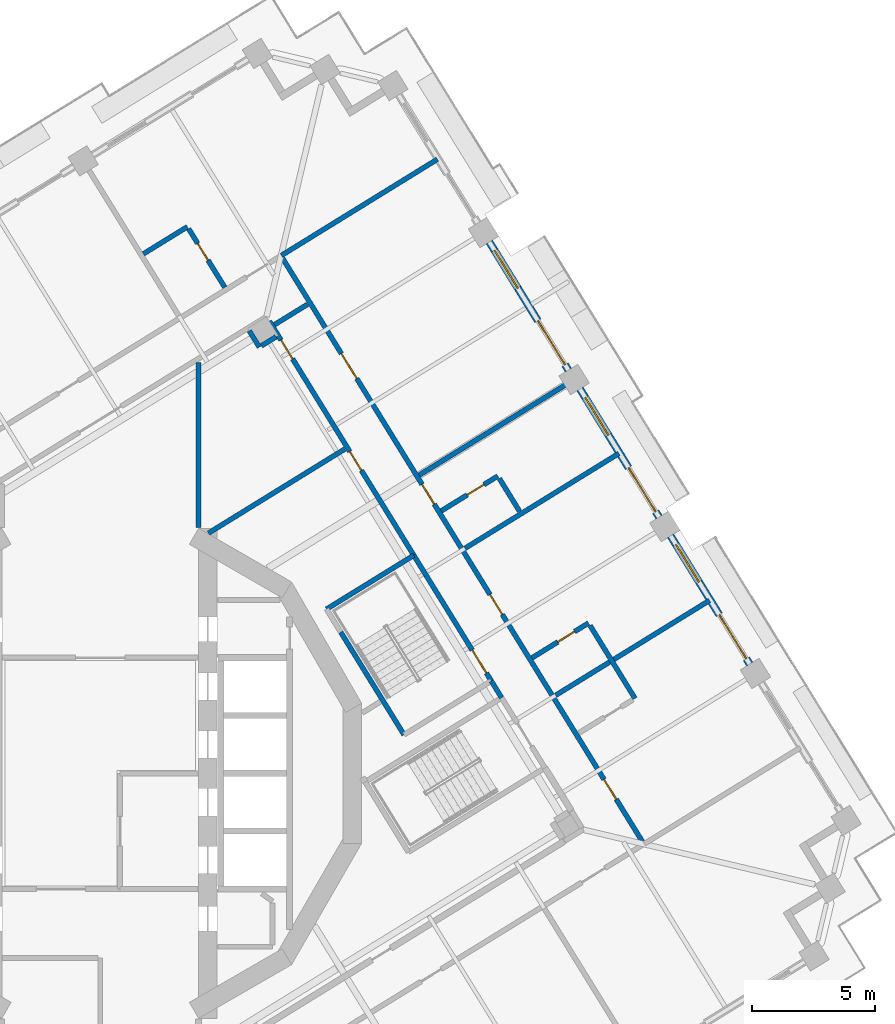
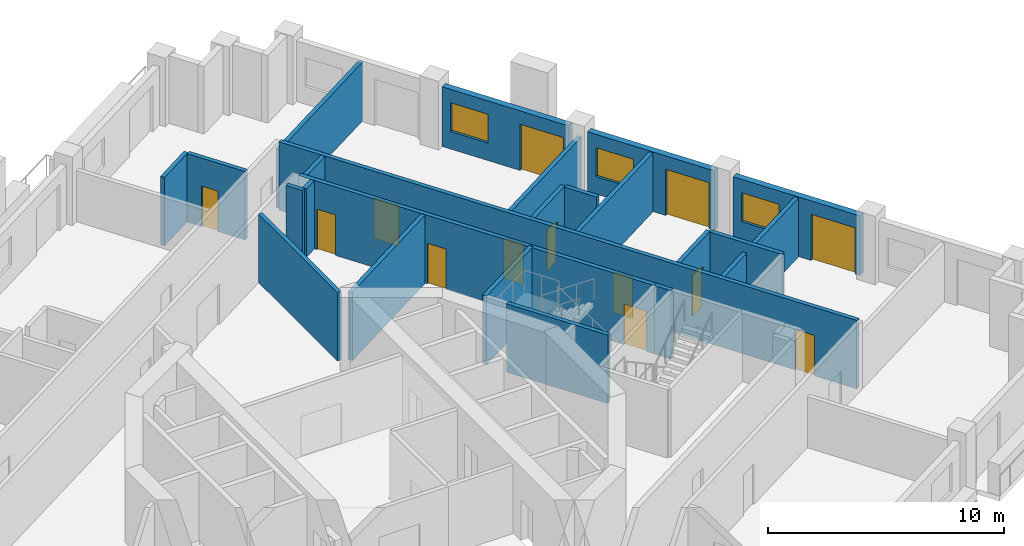
# One storey, part 12 of 22: 24 walls, 13 doors, 3 windows, 16 openings.
"""IFC4 building model written with IfcOpenShell, lengths in metres."""

from ifc_helpers import new_model, si_unit, direction, frame, frame_2d, origin, place, context, subcontext, project, spatial, rectangle, extrude, material, layer, layer_set, type_object, element, fill, save


model = new_model("IFC4")

# Units and contexts
model_context = context("Model", 3, precision=1e-05, world=origin(), true_north=direction((0.0, 1.0)))
body_context = subcontext(model_context, "Body", "Model", "MODEL_VIEW")
ifc_project = project(units=[si_unit("LENGTHUNIT", "METRE"), si_unit("AREAUNIT", "SQUARE_METRE"), si_unit("VOLUMEUNIT", "CUBIC_METRE"), si_unit("PLANEANGLEUNIT", "RADIAN"), si_unit("MASSUNIT", "GRAM", prefix="KILO")], contexts=[model_context])

# Site, building, storey
site_placement = place(None, origin())
site = spatial("IfcSite", under=ifc_project, at=site_placement, CompositionType="ELEMENT")
building_placement = place(site_placement, origin())
building = spatial("IfcBuilding", under=site, at=building_placement, Name="Cantera Rosa Tower", CompositionType="ELEMENT")
storey_placement = place(building_placement, frame((0.0, 0.0, 162.800048828125)))
storey = spatial("IfcBuildingStorey", under=building, at=storey_placement, Name="L35", CompositionType="ELEMENT", Elevation=162.800048828125)

# Walls
ifc_material_1 = material(Name="Gypsum board partition")
ifc_layer_1 = layer(ifc_material_1, 0.199951171875)
ifc_layer_set_1 = layer_set([ifc_layer_1], Name="CORRIDOR WALL 200 H3550")
wall_type_1 = type_object("IfcWallType", Name="CORRIDOR WALL 200 H3550", PredefinedType="PARTITIONING", material=ifc_layer_set_1)
wall_1_placement = place(storey_placement, frame((4.0, 9.994140625, 0.0), z_axis=(0.0, 0.0, 1.0), x_axis=(0.0, 1.0, 0.0)))
element("IfcWall", 1, at=wall_1_placement, inside=storey, type_object=wall_type_1, Name="CORRIDOR WALL L35-076", PredefinedType="PARTITIONING", context=body_context, shape_type="SweptSolid", body=[
    extrude(rectangle(XDim=6.7060546875, YDim=0.199951171875, at=frame_2d((3.35302734375, 0.0))), origin(), (0.0, 0.0, 1.0), 3.550048828125),
])
wall_2_placement = place(storey_placement, frame((7.08154296875, 18.234619140625, 0.0), z_axis=(0.0, 0.0, 1.0), x_axis=(0.8511858258, 0.524864449127, 0.0)))
element("IfcWall", 2, at=wall_2_placement, inside=storey, type_object=wall_type_1, Name="CORRIDOR WALL L35-089", PredefinedType="PARTITIONING", context=body_context, shape_type="SweptSolid", body=[
    extrude(rectangle(XDim=1.580078125, YDim=0.199951171875, at=frame_2d((0.7900390625, 0.0))), origin(), (0.0, 0.0, 1.0), 3.550048828125),
])

# Wall, openings, doors
wall_3_placement = place(storey_placement, frame((12.74560546875, 8.861328125, 0.0), z_axis=(0.0, 0.0, 1.0), x_axis=(-0.524978093765, 0.851115738937, 0.0)))
wall_3 = element("IfcWall", 3, at=wall_3_placement, inside=storey, type_object=wall_type_1, Name="CORRIDOR WALL L35-104", PredefinedType="PARTITIONING", context=body_context, shape_type="SweptSolid", body=[
    extrude(rectangle(XDim=11.17919921875, YDim=0.199951171875, at=frame_2d((5.589599609375, 0.0))), origin(), (0.0, 0.0, 1.0), 3.550048828125),
])
opening_1_placement = place(wall_3_placement, frame((4.055419921875, 0.0, 0.0)))
opening_1 = element("IfcOpeningElement", 4, at=opening_1_placement, cuts=wall_3, Name="Opening L35-005", PredefinedType="OPENING", context=body_context, shape_type="SweptSolid", body=[
    extrude(rectangle(XDim=0.89990234375, YDim=2.10009765625, at=frame_2d((0.449951171875, 1.050048828125))), frame((0.0, 0.10986328125, 0.0), z_axis=(0.0, -1.0, 0.0), x_axis=(1.0, 0.0, 0.0)), (0.0, 0.0, 1.0), 0.219970703125),
])
opening_2_placement = place(wall_3_placement, frame((9.38037109375, 0.0, 0.0)))
opening_2 = element("IfcOpeningElement", 5, at=opening_2_placement, cuts=wall_3, Name="Opening L35-006", PredefinedType="OPENING", context=body_context, shape_type="SweptSolid", body=[
    extrude(rectangle(XDim=0.89990234375, YDim=2.10009765625, at=frame_2d((0.449951171875, 1.050048828125))), frame((0.0, 0.10986328125, 0.0), z_axis=(0.0, -1.0, 0.0), x_axis=(1.0, 0.0, 0.0)), (0.0, 0.0, 1.0), 0.219970703125),
])
ifc_material_2 = material(Name="Timber door leaf", Category="wood")
door_type_1 = type_object("IfcDoorType", Name="SERVICE DOOR 900x2100", OperationType="NOTDEFINED", PredefinedType="DOOR", material=ifc_material_2)
door_1_placement = place(opening_1_placement, origin())
door_1 = element("IfcDoor", 6, at=door_1_placement, inside=storey, type_object=door_type_1, Name="DOOR L35-005", OperationType="NOTDEFINED", OverallHeight=2.10009765625, OverallWidth=0.89990234375, PredefinedType="DOOR", context=body_context, shape_type="SweptSolid", body=[
    extrude(rectangle(XDim=0.89990234375, YDim=2.10009765625, at=frame_2d((0.449951171875, 1.050048828125))), frame((0.0, 0.02490234375, 0.0), z_axis=(0.0, -1.0, 0.0), x_axis=(1.0, 0.0, 0.0)), (0.0, 0.0, 1.0), 0.050048828125),
])
fill(opening_1, door_1)
door_2_placement = place(opening_2_placement, origin())
door_2 = element("IfcDoor", 7, at=door_2_placement, inside=storey, type_object=door_type_1, Name="DOOR L35-006", OperationType="NOTDEFINED", OverallHeight=2.10009765625, OverallWidth=0.89990234375, PredefinedType="DOOR", context=body_context, shape_type="SweptSolid", body=[
    extrude(rectangle(XDim=0.89990234375, YDim=2.10009765625, at=frame_2d((0.449951171875, 1.050048828125))), frame((0.0, 0.02490234375, 0.0), z_axis=(0.0, -1.0, 0.0), x_axis=(1.0, 0.0, 0.0)), (0.0, 0.0, 1.0), 0.050048828125),
])
fill(opening_2, door_2)

# Wall
wall_4_placement = place(storey_placement, frame((16.31591796875, 3.072998046875, 0.0), z_axis=(0.0, 0.0, 1.0), x_axis=(-0.524947597637, 0.85113454855, 0.0)))
element("IfcWall", 8, at=wall_4_placement, inside=storey, type_object=wall_type_1, Name="CORRIDOR WALL L35-112", PredefinedType="PARTITIONING", context=body_context, shape_type="SweptSolid", body=[
    extrude(rectangle(XDim=0.80078125, YDim=0.199951171875, at=frame_2d((0.400390625, 0.0))), origin(), (0.0, 0.0, 1.0), 3.550048828125),
])

# Wall, openings, doors
wall_5_placement = place(storey_placement, frame((22.037109375, -2.77392578125, 0.0), z_axis=(0.0, 0.0, 1.0), x_axis=(-0.524972822247, 0.851118990448, 0.0)))
wall_5 = element("IfcWall", 9, at=wall_5_placement, inside=storey, type_object=wall_type_1, Name="CORRIDOR WALL L35-124", PredefinedType="PARTITIONING", context=body_context, shape_type="SweptSolid", body=[
    extrude(rectangle(XDim=27.85986328125, YDim=0.199951171875, at=frame_2d((13.929931640625, 0.0))), origin(), (0.0, 0.0, 1.0), 3.550048828125),
])
opening_3_placement = place(wall_5_placement, frame((2.02001953125, 0.0, 0.0)))
opening_3 = element("IfcOpeningElement", 10, at=opening_3_placement, cuts=wall_5, Name="Opening L35-021", PredefinedType="OPENING", context=body_context, shape_type="SweptSolid", body=[
    extrude(rectangle(XDim=0.949951171875, YDim=2.10009765625, at=frame_2d((0.47509765625, 1.050048828125))), frame((0.0, 0.10986328125, 0.0), z_axis=(0.0, -1.0, 0.0), x_axis=(1.0, 0.0, 0.0)), (0.0, 0.0, 1.0), 0.219970703125),
])
opening_4_placement = place(wall_5_placement, frame((10.844970703125, 0.0, 0.0)))
opening_4 = element("IfcOpeningElement", 11, at=opening_4_placement, cuts=wall_5, Name="Opening L35-023", PredefinedType="OPENING", context=body_context, shape_type="SweptSolid", body=[
    extrude(rectangle(XDim=0.949951171875, YDim=2.10009765625, at=frame_2d((0.47509765625, 1.050048828125))), frame((0.0, 0.10986328125, 0.0), z_axis=(0.0, -1.0, 0.0), x_axis=(1.0, 0.0, 0.0)), (0.0, 0.0, 1.0), 0.219970703125),
])
opening_5_placement = place(wall_5_placement, frame((22.110107421875, 0.0, 0.0)))
opening_5 = element("IfcOpeningElement", 12, at=opening_5_placement, cuts=wall_5, Name="Opening L35-025", PredefinedType="OPENING", context=body_context, shape_type="SweptSolid", body=[
    extrude(rectangle(XDim=1.199951171875, YDim=2.10009765625, at=frame_2d((0.60009765625, 1.050048828125))), frame((0.0, 0.10986328125, 0.0), z_axis=(0.0, -1.0, 0.0), x_axis=(1.0, 0.0, 0.0)), (0.0, 0.0, 1.0), 0.219970703125),
])
opening_6_placement = place(wall_5_placement, frame((16.110107421875, 0.0, 0.0)))
opening_6 = element("IfcOpeningElement", 13, at=opening_6_placement, cuts=wall_5, Name="Opening L35-026", PredefinedType="OPENING", context=body_context, shape_type="SweptSolid", body=[
    extrude(rectangle(XDim=0.949951171875, YDim=2.10009765625, at=frame_2d((0.47509765625, 1.050048828125))), frame((0.0, 0.10986328125, 0.0), z_axis=(0.0, -1.0, 0.0), x_axis=(1.0, 0.0, 0.0)), (0.0, 0.0, 1.0), 0.219970703125),
])
ifc_material_3 = material(Name="Timber door leaf", Category="wood")
door_type_2 = type_object("IfcDoorType", Name="ROOM DOOR 1200x2100", OperationType="NOTDEFINED", PredefinedType="DOOR", material=ifc_material_3)
door_3_placement = place(opening_5_placement, origin())
door_3 = element("IfcDoor", 14, at=door_3_placement, inside=storey, type_object=door_type_2, Name="DOOR L35-025", OperationType="NOTDEFINED", OverallHeight=2.10009765625, OverallWidth=1.199951171875, PredefinedType="DOOR", context=body_context, shape_type="SweptSolid", body=[
    extrude(rectangle(XDim=1.199951171875, YDim=2.10009765625, at=frame_2d((0.60009765625, 1.050048828125))), frame((0.0, 0.02490234375, 0.0), z_axis=(0.0, -1.0, 0.0), x_axis=(1.0, 0.0, 0.0)), (0.0, 0.0, 1.0), 0.050048828125),
])
fill(opening_5, door_3)
ifc_material_4 = material(Name="Timber door leaf", Category="wood")
door_type_3 = type_object("IfcDoorType", Name="ROOM DOOR 950x2100", OperationType="NOTDEFINED", PredefinedType="DOOR", material=ifc_material_4)
door_4_placement = place(opening_3_placement, origin())
door_4 = element("IfcDoor", 15, at=door_4_placement, inside=storey, type_object=door_type_3, Name="DOOR L35-021", OperationType="NOTDEFINED", OverallHeight=2.10009765625, OverallWidth=0.949951171875, PredefinedType="DOOR", context=body_context, shape_type="SweptSolid", body=[
    extrude(rectangle(XDim=0.949951171875, YDim=2.10009765625, at=frame_2d((0.47509765625, 1.050048828125))), frame((0.0, 0.02490234375, 0.0), z_axis=(0.0, -1.0, 0.0), x_axis=(1.0, 0.0, 0.0)), (0.0, 0.0, 1.0), 0.050048828125),
])
fill(opening_3, door_4)
door_5_placement = place(opening_4_placement, origin())
door_5 = element("IfcDoor", 16, at=door_5_placement, inside=storey, type_object=door_type_3, Name="DOOR L35-023", OperationType="NOTDEFINED", OverallHeight=2.10009765625, OverallWidth=0.949951171875, PredefinedType="DOOR", context=body_context, shape_type="SweptSolid", body=[
    extrude(rectangle(XDim=0.949951171875, YDim=2.10009765625, at=frame_2d((0.47509765625, 1.050048828125))), frame((0.0, 0.02490234375, 0.0), z_axis=(0.0, -1.0, 0.0), x_axis=(1.0, 0.0, 0.0)), (0.0, 0.0, 1.0), 0.050048828125),
])
fill(opening_4, door_5)
door_6_placement = place(opening_6_placement, origin())
door_6 = element("IfcDoor", 17, at=door_6_placement, inside=storey, type_object=door_type_3, Name="DOOR L35-026", OperationType="NOTDEFINED", OverallHeight=2.10009765625, OverallWidth=0.949951171875, PredefinedType="DOOR", context=body_context, shape_type="SweptSolid", body=[
    extrude(rectangle(XDim=0.949951171875, YDim=2.10009765625, at=frame_2d((0.47509765625, 1.050048828125))), frame((0.0, 0.02490234375, 0.0), z_axis=(0.0, -1.0, 0.0), x_axis=(1.0, 0.0, 0.0)), (0.0, 0.0, 1.0), 0.050048828125),
])
fill(opening_6, door_6)

# Wall, openings, window, door
ifc_material_5 = material(Name="Hollow clay masonry with cantera stone cladding", Category="masonry")
ifc_layer_2 = layer(ifc_material_5, 0.300048828125)
ifc_layer_set_2 = layer_set([ifc_layer_2], Name="EW-LOGGIA 300 H3090")
wall_type_2 = type_object("IfcWallType", Name="EW-LOGGIA 300 H3090", PredefinedType="SOLIDWALL", material=ifc_layer_set_2)
wall_6_placement = place(storey_placement, frame((26.3994140625, 4.440185546875, 0.0), z_axis=(0.0, 0.0, 1.0), x_axis=(-0.524987447654, 0.851109969279, 0.0)))
wall_6 = element("IfcWall", 18, at=wall_6_placement, inside=storey, type_object=wall_type_2, Name="EN-L35-W02", PredefinedType="SOLIDWALL", context=body_context, shape_type="SweptSolid", body=[
    extrude(rectangle(XDim=6.119873046875, YDim=0.300048828125, at=frame_2d((3.06005859375, 0.0))), origin(), (0.0, 0.0, 1.0), 3.08984375),
])
opening_7_placement = place(wall_6_placement, frame((0.2548828125, 0.0, 0.0)))
opening_7 = element("IfcOpeningElement", 19, at=opening_7_placement, cuts=wall_6, Name="Opening L35-TD03", PredefinedType="OPENING", context=body_context, shape_type="SweptSolid", body=[
    extrude(rectangle(XDim=2.10009765625, YDim=2.39990234375, at=frame_2d((1.050048828125, 1.199951171875))), frame((0.0, 0.159912109375, 0.0), z_axis=(0.0, -1.0, 0.0), x_axis=(1.0, 0.0, 0.0)), (0.0, 0.0, 1.0), 0.320068359375),
])
opening_8_placement = place(wall_6_placement, frame((3.9150390625, 0.0, 0.89990234375)))
opening_8 = element("IfcOpeningElement", 20, at=opening_8_placement, cuts=wall_6, Name="Opening L35-W04", PredefinedType="OPENING", context=body_context, shape_type="SweptSolid", body=[
    extrude(rectangle(XDim=1.800048828125, YDim=1.5, at=frame_2d((0.89990234375, 0.75))), frame((0.0, 0.159912109375, 0.0), z_axis=(0.0, -1.0, 0.0), x_axis=(1.0, 0.0, 0.0)), (0.0, 0.0, 1.0), 0.320068359375),
])
ifc_material_6 = material(Name="Aluminium frame with clear glass", Category="aluminium")
window_type = type_object("IfcWindowType", Name="Hotel room window 1800x1500", PartitioningType="DOUBLE_PANEL_VERTICAL", PredefinedType="WINDOW", material=ifc_material_6)
window_1_placement = place(opening_8_placement, origin())
window_1 = element("IfcWindow", 21, at=window_1_placement, inside=storey, type_object=window_type, Name="WINDOW L35-W04", OverallHeight=1.5, OverallWidth=1.800048828125, PartitioningType="SINGLE_PANEL", PredefinedType="WINDOW", context=body_context, shape_type="SweptSolid", body=[
    extrude(rectangle(XDim=1.800048828125, YDim=1.5, at=frame_2d((0.89990234375, 0.75))), frame((0.0, 0.030029296875, 0.0), z_axis=(0.0, -1.0, 0.0), x_axis=(1.0, 0.0, 0.0)), (0.0, 0.0, 1.0), 0.06005859375),
])
fill(opening_8, window_1)
ifc_material_7 = material(Name="Aluminium frame with clear glass", Category="aluminium")
door_type_4 = type_object("IfcDoorType", Name="TD-H 2100x2400", OperationType="NOTDEFINED", PredefinedType="DOOR", material=ifc_material_7)
door_7_placement = place(opening_7_placement, origin())
door_7 = element("IfcDoor", 22, at=door_7_placement, inside=storey, type_object=door_type_4, Name="LOGGIA DOOR L35-TD03", OperationType="SLIDING_TO_LEFT", OverallHeight=2.39990234375, OverallWidth=2.10009765625, PredefinedType="DOOR", context=body_context, shape_type="SweptSolid", body=[
    extrude(rectangle(XDim=2.10009765625, YDim=2.39990234375, at=frame_2d((1.050048828125, 1.199951171875))), frame((0.0, 0.02490234375, 0.0), z_axis=(0.0, -1.0, 0.0), x_axis=(1.0, 0.0, 0.0)), (0.0, 0.0, 1.0), 0.050048828125),
])
fill(opening_7, door_7)

wall_7_placement = place(storey_placement, frame((22.714111328125, 10.4150390625, 0.0), z_axis=(0.0, 0.0, 1.0), x_axis=(-0.524987447654, 0.851109969279, 0.0)))
wall_7 = element("IfcWall", 23, at=wall_7_placement, inside=storey, type_object=wall_type_2, Name="EN-L35-W03", PredefinedType="SOLIDWALL", context=body_context, shape_type="SweptSolid", body=[
    extrude(rectangle(XDim=6.119873046875, YDim=0.300048828125, at=frame_2d((3.06005859375, 0.0))), origin(), (0.0, 0.0, 1.0), 3.08984375),
])
opening_9_placement = place(wall_7_placement, frame((0.2548828125, 0.0, 0.0)))
opening_9 = element("IfcOpeningElement", 24, at=opening_9_placement, cuts=wall_7, Name="Opening L35-TD05", PredefinedType="OPENING", context=body_context, shape_type="SweptSolid", body=[
    extrude(rectangle(XDim=2.10009765625, YDim=2.39990234375, at=frame_2d((1.050048828125, 1.199951171875))), frame((0.0, 0.159912109375, 0.0), z_axis=(0.0, -1.0, 0.0), x_axis=(1.0, 0.0, 0.0)), (0.0, 0.0, 1.0), 0.320068359375),
])
opening_10_placement = place(wall_7_placement, frame((3.9150390625, 0.0, 0.89990234375)))
opening_10 = element("IfcOpeningElement", 25, at=opening_10_placement, cuts=wall_7, Name="Opening L35-W06", PredefinedType="OPENING", context=body_context, shape_type="SweptSolid", body=[
    extrude(rectangle(XDim=1.800048828125, YDim=1.5, at=frame_2d((0.89990234375, 0.75))), frame((0.0, 0.159912109375, 0.0), z_axis=(0.0, -1.0, 0.0), x_axis=(1.0, 0.0, 0.0)), (0.0, 0.0, 1.0), 0.320068359375),
])
window_2_placement = place(opening_10_placement, origin())
window_2 = element("IfcWindow", 26, at=window_2_placement, inside=storey, type_object=window_type, Name="WINDOW L35-W06", OverallHeight=1.5, OverallWidth=1.800048828125, PartitioningType="SINGLE_PANEL", PredefinedType="WINDOW", context=body_context, shape_type="SweptSolid", body=[
    extrude(rectangle(XDim=1.800048828125, YDim=1.5, at=frame_2d((0.89990234375, 0.75))), frame((0.0, 0.030029296875, 0.0), z_axis=(0.0, -1.0, 0.0), x_axis=(1.0, 0.0, 0.0)), (0.0, 0.0, 1.0), 0.06005859375),
])
fill(opening_10, window_2)
door_8_placement = place(opening_9_placement, origin())
door_8 = element("IfcDoor", 27, at=door_8_placement, inside=storey, type_object=door_type_4, Name="LOGGIA DOOR L35-TD05", OperationType="SLIDING_TO_LEFT", OverallHeight=2.39990234375, OverallWidth=2.10009765625, PredefinedType="DOOR", context=body_context, shape_type="SweptSolid", body=[
    extrude(rectangle(XDim=2.10009765625, YDim=2.39990234375, at=frame_2d((1.050048828125, 1.199951171875))), frame((0.0, 0.02490234375, 0.0), z_axis=(0.0, -1.0, 0.0), x_axis=(1.0, 0.0, 0.0)), (0.0, 0.0, 1.0), 0.050048828125),
])
fill(opening_9, door_8)

wall_8_placement = place(storey_placement, frame((19.02880859375, 16.389892578125, 0.0), z_axis=(0.0, 0.0, 1.0), x_axis=(-0.524987447654, 0.851109969279, 0.0)))
wall_8 = element("IfcWall", 28, at=wall_8_placement, inside=storey, type_object=wall_type_2, Name="EN-L35-W04", PredefinedType="SOLIDWALL", context=body_context, shape_type="SweptSolid", body=[
    extrude(rectangle(XDim=6.119873046875, YDim=0.300048828125, at=frame_2d((3.06005859375, 0.0))), origin(), (0.0, 0.0, 1.0), 3.08984375),
])
opening_11_placement = place(wall_8_placement, frame((0.2548828125, 0.0, 0.0)))
opening_11 = element("IfcOpeningElement", 29, at=opening_11_placement, cuts=wall_8, Name="Opening L35-TD07", PredefinedType="OPENING", context=body_context, shape_type="SweptSolid", body=[
    extrude(rectangle(XDim=2.10009765625, YDim=2.39990234375, at=frame_2d((1.050048828125, 1.199951171875))), frame((0.0, 0.159912109375, 0.0), z_axis=(0.0, -1.0, 0.0), x_axis=(1.0, 0.0, 0.0)), (0.0, 0.0, 1.0), 0.320068359375),
])
opening_12_placement = place(wall_8_placement, frame((3.9150390625, 0.0, 0.89990234375)))
opening_12 = element("IfcOpeningElement", 30, at=opening_12_placement, cuts=wall_8, Name="Opening L35-W08", PredefinedType="OPENING", context=body_context, shape_type="SweptSolid", body=[
    extrude(rectangle(XDim=1.800048828125, YDim=1.5, at=frame_2d((0.89990234375, 0.75))), frame((0.0, 0.159912109375, 0.0), z_axis=(0.0, -1.0, 0.0), x_axis=(1.0, 0.0, 0.0)), (0.0, 0.0, 1.0), 0.320068359375),
])
window_3_placement = place(opening_12_placement, origin())
window_3 = element("IfcWindow", 31, at=window_3_placement, inside=storey, type_object=window_type, Name="WINDOW L35-W08", OverallHeight=1.5, OverallWidth=1.800048828125, PartitioningType="SINGLE_PANEL", PredefinedType="WINDOW", context=body_context, shape_type="SweptSolid", body=[
    extrude(rectangle(XDim=1.800048828125, YDim=1.5, at=frame_2d((0.89990234375, 0.75))), frame((0.0, 0.030029296875, 0.0), z_axis=(0.0, -1.0, 0.0), x_axis=(1.0, 0.0, 0.0)), (0.0, 0.0, 1.0), 0.06005859375),
])
fill(opening_12, window_3)
door_9_placement = place(opening_11_placement, origin())
door_9 = element("IfcDoor", 32, at=door_9_placement, inside=storey, type_object=door_type_4, Name="LOGGIA DOOR L35-TD07", OperationType="SLIDING_TO_LEFT", OverallHeight=2.39990234375, OverallWidth=2.10009765625, PredefinedType="DOOR", context=body_context, shape_type="SweptSolid", body=[
    extrude(rectangle(XDim=2.10009765625, YDim=2.39990234375, at=frame_2d((1.050048828125, 1.199951171875))), frame((0.0, 0.02490234375, 0.0), z_axis=(0.0, -1.0, 0.0), x_axis=(1.0, 0.0, 0.0)), (0.0, 0.0, 1.0), 0.050048828125),
])
fill(opening_11, door_9)

# Wall
ifc_material_8 = material(Name="Gypsum board partition")
ifc_layer_3 = layer(ifc_material_8, 0.199951171875)
ifc_layer_set_3 = layer_set([ifc_layer_3], Name="PARTITION 200 H3550")
wall_type_3 = type_object("IfcWallType", Name="PARTITION 200 H3550", PredefinedType="PARTITIONING", material=ifc_layer_set_3)
wall_9_placement = place(storey_placement, frame((1.756103515625, 21.11572265625, 0.0), z_axis=(0.0, 0.0, 1.0), x_axis=(0.851099012787, 0.52500520991, 0.0)))
element("IfcWall", 33, at=wall_9_placement, inside=storey, type_object=wall_type_3, Name="PARTITION L35-071", PredefinedType="PARTITIONING", context=body_context, shape_type="SweptSolid", body=[
    extrude(rectangle(XDim=2.10009765625, YDim=0.199951171875, at=frame_2d((1.050048828125, 0.0))), origin(), (0.0, 0.0, 1.0), 3.550048828125),
])

# Wall, opening, door
wall_10_placement = place(storey_placement, frame((3.595947265625, 22.133056640625, 0.0), z_axis=(0.0, 0.0, 1.0), x_axis=(0.524997143301, -0.851103988667, 0.0)))
wall_10 = element("IfcWall", 34, at=wall_10_placement, inside=storey, type_object=wall_type_3, Name="PARTITION L35-072", PredefinedType="PARTITIONING", context=body_context, shape_type="SweptSolid", body=[
    extrude(rectangle(XDim=2.800048828125, YDim=0.199951171875, at=frame_2d((1.39990234375, 0.0))), origin(), (0.0, 0.0, 1.0), 3.550048828125),
])
opening_13_placement = place(wall_10_placement, frame((0.699951171875, 0.0, 0.0)))
opening_13 = element("IfcOpeningElement", 35, at=opening_13_placement, cuts=wall_10, Name="Opening L35-034", PredefinedType="OPENING", context=body_context, shape_type="SweptSolid", body=[
    extrude(rectangle(XDim=0.800048828125, YDim=2.10009765625, at=frame_2d((0.39990234375, 1.050048828125))), frame((0.0, 0.10986328125, 0.0), z_axis=(0.0, -1.0, 0.0), x_axis=(1.0, 0.0, 0.0)), (0.0, 0.0, 1.0), 0.219970703125),
])
ifc_material_9 = material(Name="Timber door leaf", Category="wood")
door_type_5 = type_object("IfcDoorType", Name="BATHROOM DOOR 800x2100", OperationType="NOTDEFINED", PredefinedType="DOOR", material=ifc_material_9)
door_10_placement = place(opening_13_placement, origin())
door_10 = element("IfcDoor", 36, at=door_10_placement, inside=storey, type_object=door_type_5, Name="DOOR L35-034", OperationType="NOTDEFINED", OverallHeight=2.10009765625, OverallWidth=0.800048828125, PredefinedType="DOOR", context=body_context, shape_type="SweptSolid", body=[
    extrude(rectangle(XDim=0.800048828125, YDim=2.10009765625, at=frame_2d((0.39990234375, 1.050048828125))), frame((0.0, 0.02490234375, 0.0), z_axis=(0.0, -1.0, 0.0), x_axis=(1.0, 0.0, 0.0)), (0.0, 0.0, 1.0), 0.050048828125),
])
fill(opening_13, door_10)

# Walls
wall_11_placement = place(storey_placement, frame((4.399658203125, 9.763427734375, 0.0), z_axis=(0.0, 0.0, 1.0), x_axis=(0.85111445417, 0.524980176676, 0.0)))
element("IfcWall", 37, at=wall_11_placement, inside=storey, type_object=wall_type_3, Name="PARTITION L35-077", PredefinedType="PARTITIONING", context=body_context, shape_type="SweptSolid", body=[
    extrude(rectangle(XDim=6.509765625, YDim=0.199951171875, at=frame_2d((3.2548828125, 0.0))), origin(), (0.0, 0.0, 1.0), 3.550048828125),
])
wall_12_placement = place(storey_placement, frame((6.058349609375, 17.98876953125, 0.0), z_axis=(0.0, 0.0, 1.0), x_axis=(0.524813124932, -0.851217471566, 0.0)))
element("IfcWall", 38, at=wall_12_placement, inside=storey, type_object=wall_type_3, Name="PARTITION L35-083", PredefinedType="PARTITIONING", context=body_context, shape_type="SweptSolid", body=[
    extrude(rectangle(XDim=0.780029296875, YDim=0.199951171875, at=frame_2d((0.39013671875, 0.0))), origin(), (0.0, 0.0, 1.0), 3.550048828125),
])
wall_13_placement = place(storey_placement, frame((6.552978515625, 17.377197265625, 0.0), z_axis=(0.0, 0.0, 1.0), x_axis=(0.850963051828, 0.52522555576, 0.0)))
element("IfcWall", 39, at=wall_13_placement, inside=storey, type_object=wall_type_3, Name="PARTITION L35-085", PredefinedType="PARTITIONING", context=body_context, shape_type="SweptSolid", body=[
    extrude(rectangle(XDim=0.699951171875, YDim=0.199951171875, at=frame_2d((0.35009765625, 0.0))), origin(), (0.0, 0.0, 1.0), 3.550048828125),
])

# Wall, opening, door
wall_14_placement = place(storey_placement, frame((13.864501953125, 10.66650390625, 0.0), z_axis=(0.0, 0.0, 1.0), x_axis=(0.85111767641, 0.524974952644, 0.0)))
wall_14 = element("IfcWall", 40, at=wall_14_placement, inside=storey, type_object=wall_type_3, Name="PARTITION L35-107", PredefinedType="PARTITIONING", context=body_context, shape_type="SweptSolid", body=[
    extrude(rectangle(XDim=2.7001953125, YDim=0.199951171875, at=frame_2d((1.35009765625, 0.0))), origin(), (0.0, 0.0, 1.0), 3.550048828125),
])
opening_14_placement = place(wall_14_placement, frame((1.236083984375, 0.0, 0.0)))
opening_14 = element("IfcOpeningElement", 41, at=opening_14_placement, cuts=wall_14, Name="Opening L35-027", PredefinedType="OPENING", context=body_context, shape_type="SweptSolid", body=[
    extrude(rectangle(XDim=0.800048828125, YDim=2.10009765625, at=frame_2d((0.39990234375, 1.050048828125))), frame((0.0, 0.10986328125, 0.0), z_axis=(0.0, -1.0, 0.0), x_axis=(1.0, 0.0, 0.0)), (0.0, 0.0, 1.0), 0.219970703125),
])
door_11_placement = place(opening_14_placement, origin())
door_11 = element("IfcDoor", 42, at=door_11_placement, inside=storey, type_object=door_type_5, Name="DOOR L35-027", OperationType="NOTDEFINED", OverallHeight=2.10009765625, OverallWidth=0.800048828125, PredefinedType="DOOR", context=body_context, shape_type="SweptSolid", body=[
    extrude(rectangle(XDim=0.800048828125, YDim=2.10009765625, at=frame_2d((0.39990234375, 1.050048828125))), frame((0.0, 0.02490234375, 0.0), z_axis=(0.0, -1.0, 0.0), x_axis=(1.0, 0.0, 0.0)), (0.0, 0.0, 1.0), 0.050048828125),
])
fill(opening_14, door_11)

# Wall
wall_15_placement = place(storey_placement, frame((16.2255859375, 11.98193359375, 0.0), z_axis=(0.0, 0.0, 1.0), x_axis=(0.524952958213, -0.851131242326, 0.0)))
element("IfcWall", 43, at=wall_15_placement, inside=storey, type_object=wall_type_3, Name="PARTITION L35-111", PredefinedType="PARTITIONING", context=body_context, shape_type="SweptSolid", body=[
    extrude(rectangle(XDim=1.559814453125, YDim=0.199951171875, at=frame_2d((0.77978515625, 0.0))), origin(), (0.0, 0.0, 1.0), 3.550048828125),
])

# Wall, opening, door
wall_16_placement = place(storey_placement, frame((17.5498046875, 4.69189453125, 0.0), z_axis=(0.0, 0.0, 1.0), x_axis=(0.851158076586, 0.524909448059, 0.0)))
wall_16 = element("IfcWall", 44, at=wall_16_placement, inside=storey, type_object=wall_type_3, Name="PARTITION L35-113", PredefinedType="PARTITIONING", context=body_context, shape_type="SweptSolid", body=[
    extrude(rectangle(XDim=2.699951171875, YDim=0.199951171875, at=frame_2d((1.35009765625, 0.0))), origin(), (0.0, 0.0, 1.0), 3.550048828125),
])
opening_15_placement = place(wall_16_placement, frame((1.236083984375, 0.0, 0.0)))
opening_15 = element("IfcOpeningElement", 45, at=opening_15_placement, cuts=wall_16, Name="Opening L35-024", PredefinedType="OPENING", context=body_context, shape_type="SweptSolid", body=[
    extrude(rectangle(XDim=0.800048828125, YDim=2.10009765625, at=frame_2d((0.39990234375, 1.050048828125))), frame((0.0, 0.10986328125, 0.0), z_axis=(0.0, -1.0, 0.0), x_axis=(1.0, 0.0, 0.0)), (0.0, 0.0, 1.0), 0.219970703125),
])
door_12_placement = place(opening_15_placement, origin())
door_12 = element("IfcDoor", 46, at=door_12_placement, inside=storey, type_object=door_type_5, Name="DOOR L35-024", OperationType="NOTDEFINED", OverallHeight=2.10009765625, OverallWidth=0.800048828125, PredefinedType="DOOR", context=body_context, shape_type="SweptSolid", body=[
    extrude(rectangle(XDim=0.800048828125, YDim=2.10009765625, at=frame_2d((0.39990234375, 1.050048828125))), frame((0.0, 0.02490234375, 0.0), z_axis=(0.0, -1.0, 0.0), x_axis=(1.0, 0.0, 0.0)), (0.0, 0.0, 1.0), 0.050048828125),
])
fill(opening_15, door_12)

# Walls
wall_17_placement = place(storey_placement, frame((19.910888671875, 6.007080078125, 0.0), z_axis=(0.0, 0.0, 1.0), x_axis=(0.524970023386, -0.851120716788, 0.0)))
element("IfcWall", 47, at=wall_17_placement, inside=storey, type_object=wall_type_3, Name="PARTITION L35-122", PredefinedType="PARTITIONING", context=body_context, shape_type="SweptSolid", body=[
    extrude(rectangle(XDim=3.47998046875, YDim=0.199951171875, at=frame_2d((1.739990234375, 0.0))), origin(), (0.0, 0.0, 1.0), 3.550048828125),
])
ifc_material_10 = material(Name="Gypsum board partition")
ifc_layer_4 = layer(ifc_material_10, 0.199951171875)
ifc_layer_set_4 = layer_set([ifc_layer_4], Name="PARTY WALL 200 H2650")
wall_type_4 = type_object("IfcWallType", Name="PARTY WALL 200 H2650", PredefinedType="PARTITIONING", material=ifc_layer_set_4)
wall_18_placement = place(storey_placement, frame((12.966796875, 12.1220703125, 0.0), z_axis=(0.0, 0.0, 1.0), x_axis=(0.851111911821, 0.52498429839, 0.0)))
element("IfcWall", 48, at=wall_18_placement, inside=storey, type_object=wall_type_4, Name="PARTY WALL L35-106", PredefinedType="PARTITIONING", context=body_context, shape_type="SweptSolid", body=[
    extrude(rectangle(XDim=7.3701171875, YDim=0.199951171875, at=frame_2d((3.68505859375, 0.0))), origin(), (0.0, 0.0, 1.0), 2.64990234375),
])
ifc_material_11 = material(Name="Gypsum board partition")
ifc_layer_5 = layer(ifc_material_11, 0.199951171875)
ifc_layer_set_5 = layer_set([ifc_layer_5], Name="PARTY WALL 200 H3050")
wall_type_5 = type_object("IfcWallType", Name="PARTY WALL 200 H3050", PredefinedType="PARTITIONING", material=ifc_layer_set_5)
wall_19_placement = place(storey_placement, frame((7.365478515625, 21.05078125, 0.0), z_axis=(0.0, 0.0, 1.0), x_axis=(0.851113277303, 0.524982084645, 0.0)))
element("IfcWall", 49, at=wall_19_placement, inside=storey, type_object=wall_type_5, Name="PARTY WALL L35-091", PredefinedType="PARTITIONING", context=body_context, shape_type="SweptSolid", body=[
    extrude(rectangle(XDim=7.449951171875, YDim=0.199951171875, at=frame_2d((3.72509765625, 0.0))), origin(), (0.0, 0.0, 1.0), 3.050048828125),
])
for number, where, z_axis, x_axis, name in (
    (50, (14.826416015625, 9.14501953125, 0.0), (0.0, 0.0, 1.0), (0.851118431638, 0.524973728225, 0.0), "PARTY WALL L35-108"),
    (51, (18.51171875, 3.17041015625, 0.0), (0.0, 0.0, 1.0), (0.851133272812, 0.524949666075, 0.0), "PARTY WALL L35-117"),
):
    element("IfcWall", number, at=place(storey_placement, frame(where, z_axis=z_axis, x_axis=x_axis)), inside=storey, type_object=wall_type_5, Name=name, PredefinedType="PARTITIONING", context=body_context, shape_type="SweptSolid", body=[
        extrude(rectangle(XDim=7.35009765625, YDim=0.199951171875, at=frame_2d((3.675048828125, 0.0))), origin(), (0.0, 0.0, 1.0), 3.050048828125),
    ])
ifc_material_12 = material(Name="Concrete C50/60", Category="concrete")
ifc_layer_6 = layer(ifc_material_12, 0.199951171875)
ifc_layer_set_6 = layer_set([ifc_layer_6], Name="STAIR WALL 200 H3550")
wall_type_6 = type_object("IfcWallType", Name="STAIR WALL 200 H3550", PredefinedType="SOLIDWALL", material=ifc_layer_set_6)
wall_20_placement = place(storey_placement, frame((12.74560546875, 8.861328125, 0.0), z_axis=(0.0, 0.0, 1.0), x_axis=(-0.851120688733, -0.524970068871, 0.0)))
element("IfcWall", 52, at=wall_20_placement, inside=storey, type_object=wall_type_6, Name="STAIR WALL L35-105", PredefinedType="SOLIDWALL", context=body_context, shape_type="SweptSolid", body=[
    extrude(rectangle(XDim=4.16650390625, YDim=0.199951171875, at=frame_2d((2.083251953125, 0.0))), origin(), (0.0, 0.0, 1.0), 3.550048828125),
])

# Wall, opening, door
wall_21_placement = place(storey_placement, frame((15.8955078125, 3.754638671875, 0.0), z_axis=(0.0, 0.0, 1.0), x_axis=(-0.524982543144, 0.851112994493, 0.0)))
wall_21 = element("IfcWall", 53, at=wall_21_placement, inside=storey, type_object=wall_type_6, Name="STAIR WALL L35-110", PredefinedType="SOLIDWALL", context=body_context, shape_type="SweptSolid", body=[
    extrude(rectangle(XDim=6.0, YDim=0.199951171875, at=frame_2d((3.0, 0.0))), origin(), (0.0, 0.0, 1.0), 3.550048828125),
])
opening_16_placement = place(wall_21_placement, frame((0.375, 0.0, 0.0)))
opening_16 = element("IfcOpeningElement", 54, at=opening_16_placement, cuts=wall_21, Name="Opening L35-001", PredefinedType="OPENING", context=body_context, shape_type="SweptSolid", body=[
    extrude(rectangle(XDim=1.10009765625, YDim=2.10009765625, at=frame_2d((0.550048828125, 1.050048828125))), frame((0.0, 0.10986328125, 0.0), z_axis=(0.0, -1.0, 0.0), x_axis=(1.0, 0.0, 0.0)), (0.0, 0.0, 1.0), 0.219970703125),
])
ifc_material_13 = material(Name="Steel S355J2 (EN 10025-2)", Category="steel")
door_type_6 = type_object("IfcDoorType", Name="STAIR DOOR 1100x2100", OperationType="NOTDEFINED", PredefinedType="DOOR", material=ifc_material_13)
door_13_placement = place(opening_16_placement, origin())
door_13 = element("IfcDoor", 55, at=door_13_placement, inside=storey, type_object=door_type_6, Name="DOOR L35-001", OperationType="NOTDEFINED", OverallHeight=2.10009765625, OverallWidth=1.10009765625, PredefinedType="DOOR", context=body_context, shape_type="SweptSolid", body=[
    extrude(rectangle(XDim=1.10009765625, YDim=2.10009765625, at=frame_2d((0.550048828125, 1.050048828125))), frame((0.0, 0.02490234375, 0.0), z_axis=(0.0, -1.0, 0.0), x_axis=(1.0, 0.0, 0.0)), (0.0, 0.0, 1.0), 0.050048828125),
])
fill(opening_16, door_13)

# Wall
wall_22_placement = place(storey_placement, frame((9.77685546875, 5.73779296875, 0.0), z_axis=(0.0, 0.0, 1.0), x_axis=(0.525000600504, -0.851101856108, 0.0)))
element("IfcWall", 56, at=wall_22_placement, inside=storey, type_object=wall_type_6, Name="STAIR WALL L35-097 J", PredefinedType="SOLIDWALL", context=body_context, shape_type="SweptSolid", body=[
    extrude(rectangle(XDim=4.89990234375, YDim=0.199951171875, at=frame_2d((2.449951171875, 0.0))), origin(), (0.0, 0.0, 1.0), 3.550048828125),
])

save(model, "model.ifc")
